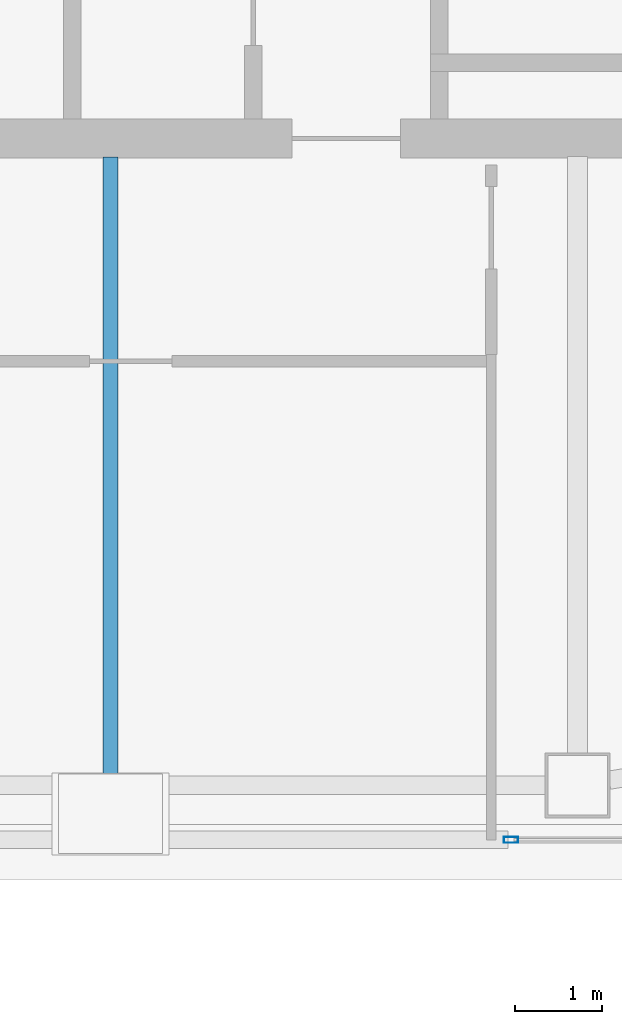
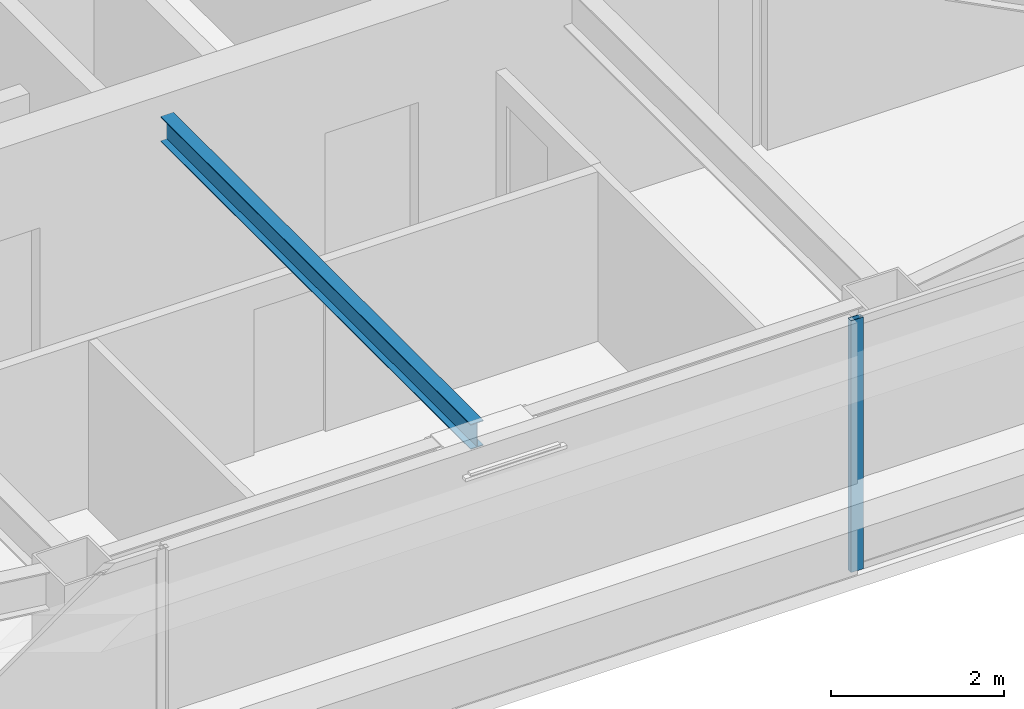
# One storey, part 6 of 39: 1 beam, 1 member, 1 element without a shape of its own.
"""IFC4 building model written with IfcOpenShell, lengths in metres."""

from ifc_helpers import new_model, si_unit, direction, frame, origin, origin_2d, place, context, subcontext, project, spatial, hollow_rectangle, i_section, extrude, material, material_profile, profile_set, type_object, element, aggregate, save


model = new_model("IFC4")

# Units and contexts
model_context = context("Model", 3, precision=1e-05, world=origin(), true_north=direction((0.0, 1.0)))
body_context = subcontext(model_context, "Body", "Model", "MODEL_VIEW")
ifc_project = project(units=[si_unit("LENGTHUNIT", "METRE"), si_unit("AREAUNIT", "SQUARE_METRE"), si_unit("VOLUMEUNIT", "CUBIC_METRE"), si_unit("PLANEANGLEUNIT", "RADIAN"), si_unit("MASSUNIT", "GRAM", prefix="KILO")], contexts=[model_context])

# Site, building, storey
site_placement = place(None, origin())
site = spatial("IfcSite", under=ifc_project, at=site_placement, CompositionType="ELEMENT")
building_placement = place(site_placement, origin())
building = spatial("IfcBuilding", under=site, at=building_placement, Name="Tashvorn Skyway Center", CompositionType="ELEMENT")
storey_placement = place(building_placement, frame((0.0, 0.0, 243.25)))
storey = spatial("IfcBuildingStorey", under=building, at=storey_placement, Name="L66", CompositionType="ELEMENT", Elevation=243.25)

# Beam
ifc_material_1 = material(Name="Steel ASTM A992 Grade 50", Category="steel")
ifc_material_profile_1 = material_profile(ifc_material_1, i_section(OverallWidth=0.1708984375, OverallDepth=0.35498046875, WebThickness=0.007080078125, FlangeThickness=0.01171875, at=origin_2d()), Name="W14X34")
ifc_profile_set_1 = profile_set([ifc_material_profile_1], Name="Steel ASTM A992 Grade 50")
beam_type = type_object("IfcBeamType", Name="BM-JOIST-W14X34", PredefinedType="JOIST", material=ifc_profile_set_1)
beam_placement = place(storey_placement, frame((42.0, 24.2099609375, 3.072509765625), z_axis=(0.0, -1.0, 0.0), x_axis=(1.0, 0.0, 0.0)))
element("IfcBeam", 1, at=beam_placement, inside=storey, type_object=beam_type, Name="Tower 1 L66 Secondary Composite Joist JS", PredefinedType="JOIST", context=body_context, shape_type="SweptSolid", body=[
    extrude(i_section(OverallWidth=0.1708984375, OverallDepth=0.35498046875, WebThickness=0.007080078125, FlangeThickness=0.01171875, at=origin_2d()), origin(), (0.0, 0.0, 1.0), 7.162353515625),
])

# Curtain wall, member
ifc_material_2 = material(Name="Thermally broken bronze-anodized aluminium 6063-T6", Category="aluminium")
curtain_wall_type = type_object("IfcCurtainWallType", Name="CW-CW-Z5", PredefinedType="NOTDEFINED", material=ifc_material_2)
curtain_wall_placement = place(storey_placement, origin())
curtain_wall = element("IfcCurtainWall", 2, at=curtain_wall_placement, inside=storey, type_object=curtain_wall_type, Name="Tower 1 L66 South Unitised Curtain Wall Glazing Group 1", PredefinedType="NOTDEFINED")
ifc_material_profile_2 = material_profile(ifc_material_2, hollow_rectangle(XDim=0.070068359375, YDim=0.1650390625, WallThickness=0.00390625, at=origin_2d()), Name="ALU-MULL-70x165")
ifc_profile_set_2 = profile_set([ifc_material_profile_2], Name="Thermally broken bronze-anodized aluminium 6063-T6")
member_type = type_object("IfcMemberType", Name="CWM-CW-Z5", PredefinedType="MULLION", material=ifc_profile_set_2)
member_placement = place(storey_placement, frame((46.62841796875, 16.320068359375, 0.0), z_axis=(0.0, 0.0, 1.0), x_axis=(0.0, -1.0, 0.0)))
member = element("IfcMember", 3, at=member_placement, type_object=member_type, Name="CW-Z5 mullion 2", PredefinedType="MULLION", context=body_context, shape_type="SweptSolid", body=[
    extrude(hollow_rectangle(XDim=0.070068359375, YDim=0.1650390625, WallThickness=0.00390625, at=origin_2d()), origin(), (0.0, 0.0, 1.0), 3.550048828125),
])
aggregate(curtain_wall, [member])

save(model, "model.ifc")
